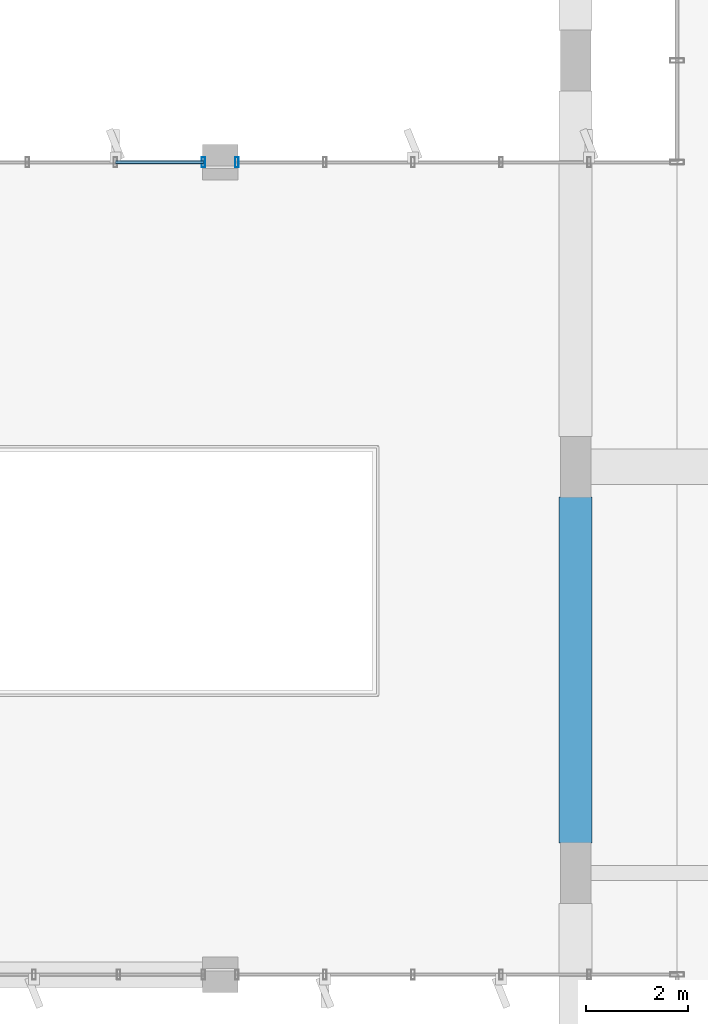
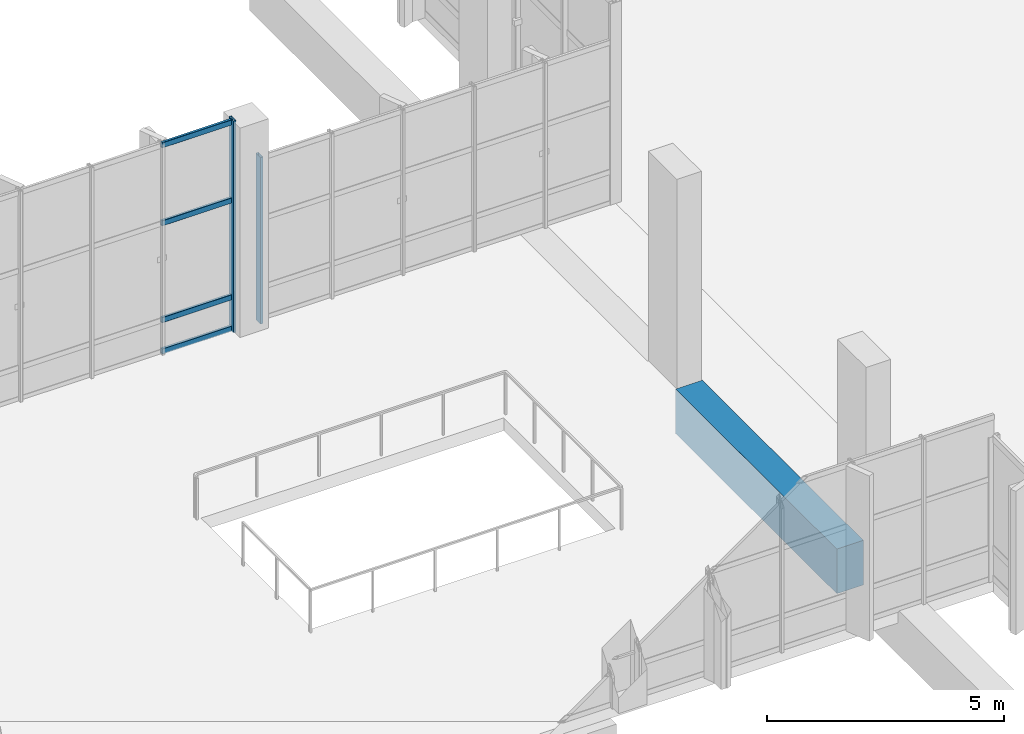
# One storey, part 44 of 176: 6 members, 1 beam, 2 elements without a shape of their own.
"""IFC4 building model written with IfcOpenShell, lengths in metres."""

from ifc_helpers import new_model, si_unit, direction, frame, origin, origin_2d, place, context, subcontext, project, spatial, rectangle, hollow_rectangle, extrude, material, layer, layer_set, material_profile, profile_set, type_object, element, aggregate, save


model = new_model("IFC4")

# Units and contexts
model_context = context("Model", 3, precision=1e-05, world=origin(), true_north=direction((0.0, 1.0)))
body_context = subcontext(model_context, "Body", "Model", "MODEL_VIEW")
ifc_project = project(units=[si_unit("LENGTHUNIT", "METRE"), si_unit("AREAUNIT", "SQUARE_METRE"), si_unit("VOLUMEUNIT", "CUBIC_METRE"), si_unit("PLANEANGLEUNIT", "RADIAN"), si_unit("MASSUNIT", "GRAM", prefix="KILO")], contexts=[model_context])

# Site, building, storey
site_placement = place(None, origin())
site = spatial("IfcSite", under=ifc_project, at=site_placement, CompositionType="ELEMENT")
building_placement = place(site_placement, origin())
building = spatial("IfcBuilding", under=site, at=building_placement, Name="Khorjan Park Terminus", CompositionType="ELEMENT")
storey_placement = place(building_placement, frame((0.0, 0.0, 6.0)))
storey = spatial("IfcBuildingStorey", under=building, at=storey_placement, Name="L01", CompositionType="ELEMENT", Elevation=6.0)

# Curtain wall, member
ifc_material_1 = material(Name="Anodized Bronze Aluminium", Category="aluminium")
ifc_layer = layer(ifc_material_1, 0.22)
ifc_layer_set = layer_set([ifc_layer], Name="Anodized Bronze Aluminium")
curtain_wall_type = type_object("IfcCurtainWallType", Name="CW-PAV-C", PredefinedType="NOTDEFINED", material=ifc_layer_set)
curtain_wall_1_placement = place(storey_placement, origin())
curtain_wall_1 = element("IfcCurtainWall", 1, at=curtain_wall_1_placement, inside=storey, type_object=curtain_wall_type, Name="Unitized curtain wall CW-C (CW-V4L-N-L01-2)", PredefinedType="NOTDEFINED")
ifc_material_profile_1 = material_profile(ifc_material_1, hollow_rectangle(XDim=0.07, YDim=0.2, WallThickness=0.005, InnerFilletRadius=0.005, OuterFilletRadius=0.01, at=origin_2d()), Name="ALM 70x200x5")
ifc_profile_set_1 = profile_set([ifc_material_profile_1], Name="Anodized Bronze Aluminium")
member_type_1 = type_object("IfcMemberType", Name="ML-ALM-200", PredefinedType="MULLION", material=ifc_profile_set_1)
member_1_placement = place(storey_placement, frame((40.67, 66.0, -0.035), z_axis=(0.0, 0.0, 1.0), x_axis=(-1.0, 0.0, 0.0)))
member_1 = element("IfcMember", 2, at=member_1_placement, type_object=member_type_1, Name="Curtain-wall mullion ML-20 (CW-V4L-N-L01-2-0)", PredefinedType="MULLION", context=body_context, shape_type="SweptSolid", body=[
    extrude(hollow_rectangle(XDim=0.07, YDim=0.2, WallThickness=0.005, InnerFilletRadius=0.005, OuterFilletRadius=0.01, at=origin_2d()), origin(), (0.0, 0.0, 1.0), 5.47),
])

curtain_wall_2_placement = place(storey_placement, origin())
curtain_wall_2 = element("IfcCurtainWall", 3, at=curtain_wall_2_placement, inside=storey, type_object=curtain_wall_type, Name="Unitized curtain wall CW-C (CW-V4L-N-L01-3)", PredefinedType="NOTDEFINED")
member_2_placement = place(storey_placement, frame((41.33, 66.0, -0.035), z_axis=(0.0, 0.0, 1.0), x_axis=(-1.0, 0.0, 0.0)))
member_2 = element("IfcMember", 4, at=member_2_placement, type_object=member_type_1, Name="Curtain-wall mullion ML-20 (CW-V4L-N-L01-3-5)", PredefinedType="MULLION", context=body_context, shape_type="SweptSolid", body=[
    extrude(hollow_rectangle(XDim=0.07, YDim=0.2, WallThickness=0.005, InnerFilletRadius=0.005, OuterFilletRadius=0.01, at=origin_2d()), origin(), (0.0, 0.0, 1.0), 4.295),
])
aggregate(curtain_wall_2, [member_2])

# Beam
ifc_material_2 = material(Name="Concrete C50/60", Category="concrete")
ifc_material_profile_2 = material_profile(ifc_material_2, rectangle(XDim=0.65, YDim=1.15, at=origin_2d()), Name="RC 650x1150")
ifc_profile_set_2 = profile_set([ifc_material_profile_2], Name="Concrete C50/60")
beam_type = type_object("IfcBeamType", Name="SP-RC650x1150", PredefinedType="SPANDREL", material=ifc_profile_set_2)
beam_placement = place(storey_placement, frame((48.0, 52.595, -0.575), z_axis=(0.0, 1.0, 0.0), x_axis=(-1.0, 0.0, 0.0)))
element("IfcBeam", 5, at=beam_placement, inside=storey, type_object=beam_type, Name="Concourse lower colonnade ring beam SP-11 (L01-29)", PredefinedType="SPANDREL", context=body_context, shape_type="SweptSolid", body=[
    extrude(rectangle(XDim=0.65, YDim=1.15, at=origin_2d()), origin(), (0.0, 0.0, 1.0), 6.81),
])

# Member
ifc_material_profile_3 = material_profile(ifc_material_1, hollow_rectangle(XDim=0.065, YDim=0.14, WallThickness=0.004, InnerFilletRadius=0.004, OuterFilletRadius=0.008, at=origin_2d()), Name="ALT 65x140x4")
ifc_profile_set_3 = profile_set([ifc_material_profile_3], Name="Anodized Bronze Aluminium")
member_type_2 = type_object("IfcMemberType", Name="TR-ALT-140", PredefinedType="USERDEFINED", material=ifc_profile_set_3)
member_3_placement = place(storey_placement, frame((40.67, 66.0, 0.04), z_axis=(-1.0, 0.0, 0.0), x_axis=(0.0, -1.0, 0.0)))
member_3 = element("IfcMember", 6, at=member_3_placement, type_object=member_type_2, Name="Curtain-wall transom TR-14 (CW-V4L-N-L01-2-0-1)", ObjectType="TRANSOM", PredefinedType="USERDEFINED", context=body_context, shape_type="SweptSolid", body=[
    extrude(hollow_rectangle(XDim=0.065, YDim=0.14, WallThickness=0.004, InnerFilletRadius=0.004, OuterFilletRadius=0.008, at=origin_2d()), origin(), (0.0, 0.0, 1.0), 1.734),
])

member_4_placement = place(storey_placement, frame((40.67, 66.0, 0.85), z_axis=(-1.0, 0.0, 0.0), x_axis=(0.0, -1.0, 0.0)))
member_4 = element("IfcMember", 7, at=member_4_placement, type_object=member_type_2, Name="Curtain-wall transom TR-14 (CW-V4L-N-L01-2-0-2)", ObjectType="TRANSOM", PredefinedType="USERDEFINED", context=body_context, shape_type="SweptSolid", body=[
    extrude(hollow_rectangle(XDim=0.065, YDim=0.14, WallThickness=0.004, InnerFilletRadius=0.004, OuterFilletRadius=0.008, at=origin_2d()), origin(), (0.0, 0.0, 1.0), 1.734),
])

member_5_placement = place(storey_placement, frame((40.67, 66.0, 3.348), z_axis=(-1.0, 0.0, 0.0), x_axis=(0.0, -1.0, 0.0)))
member_5 = element("IfcMember", 8, at=member_5_placement, type_object=member_type_2, Name="Curtain-wall transom TR-14 (CW-V4L-N-L01-2-0-3)", ObjectType="TRANSOM", PredefinedType="USERDEFINED", context=body_context, shape_type="SweptSolid", body=[
    extrude(hollow_rectangle(XDim=0.065, YDim=0.14, WallThickness=0.004, InnerFilletRadius=0.004, OuterFilletRadius=0.008, at=origin_2d()), origin(), (0.0, 0.0, 1.0), 1.734),
])

member_6_placement = place(storey_placement, frame((40.67, 66.0, 5.36), z_axis=(-1.0, 0.0, 0.0), x_axis=(0.0, -1.0, 0.0)))
member_6 = element("IfcMember", 9, at=member_6_placement, type_object=member_type_2, Name="Curtain-wall transom TR-14 (CW-V4L-N-L01-2-0-4)", ObjectType="TRANSOM", PredefinedType="USERDEFINED", context=body_context, shape_type="SweptSolid", body=[
    extrude(hollow_rectangle(XDim=0.065, YDim=0.14, WallThickness=0.004, InnerFilletRadius=0.004, OuterFilletRadius=0.008, at=origin_2d()), origin(), (0.0, 0.0, 1.0), 1.734),
])

aggregate(curtain_wall_1, [member_1, member_3, member_4, member_5, member_6])

save(model, "model.ifc")
